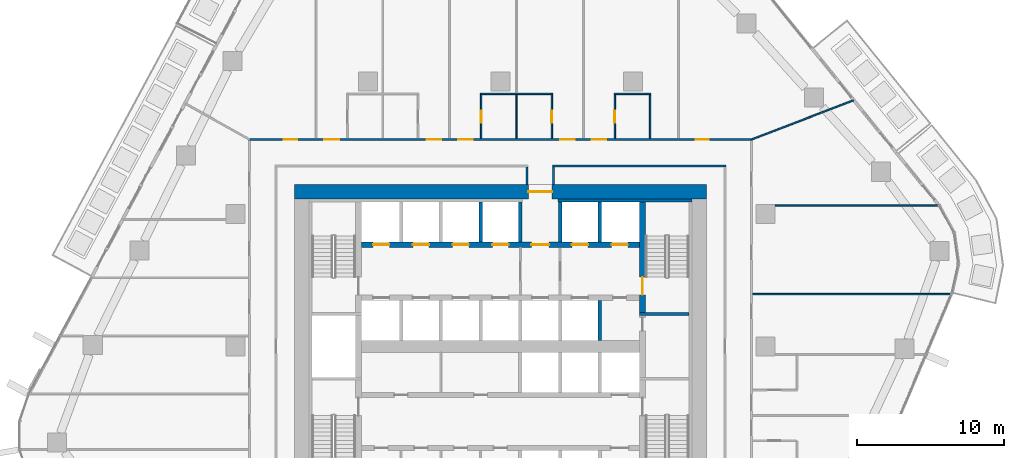
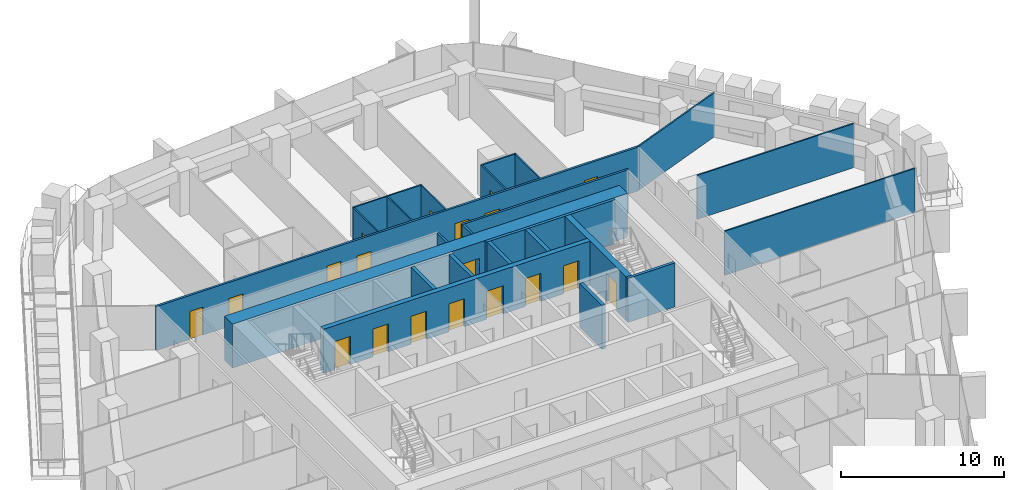
# One storey, part 16 of 24: 24 walls, 19 doors, 19 openings.
"""IFC4 building model written with IfcOpenShell, lengths in metres."""

from ifc_helpers import new_model, si_unit, direction, frame, frame_2d, origin, place, context, subcontext, project, spatial, rectangle, extrude, material, layer, layer_set, type_object, element, fill, save


model = new_model("IFC4")

# Units and contexts
model_context = context("Model", 3, precision=1e-05, world=origin(), true_north=direction((0.0, 1.0)))
body_context = subcontext(model_context, "Body", "Model", "MODEL_VIEW")
ifc_project = project(units=[si_unit("LENGTHUNIT", "METRE"), si_unit("AREAUNIT", "SQUARE_METRE"), si_unit("VOLUMEUNIT", "CUBIC_METRE"), si_unit("PLANEANGLEUNIT", "RADIAN"), si_unit("MASSUNIT", "GRAM", prefix="KILO")], contexts=[model_context])

# Site, building, storey
site_placement = place(None, origin())
site = spatial("IfcSite", under=ifc_project, at=site_placement, CompositionType="ELEMENT")
building_placement = place(site_placement, origin())
building = spatial("IfcBuilding", under=site, at=building_placement, Name="Dongbaek Canopy Tower", CompositionType="ELEMENT")
storey_placement = place(building_placement, frame((0.0, 0.0, 117.39990234375)))
storey = spatial("IfcBuildingStorey", under=building, at=storey_placement, Name="L25", CompositionType="ELEMENT", Elevation=117.39990234375)

# Wall, openings, doors
ifc_material_1 = material(Name="Concrete C60/75", Category="concrete")
ifc_layer_1 = layer(ifc_material_1, 0.35009765625)
ifc_layer_set_1 = layer_set([ifc_layer_1], Name="Core lobby wall 350 Concrete C60/75")
wall_type_1 = type_object("IfcWallType", Name="Core lobby wall 350 Concrete C60/75", PredefinedType="SHEAR", material=ifc_layer_set_1)
wall_1_placement = place(storey_placement, frame((-9.449951171875, 6.89990234375, 0.0), z_axis=(0.0, 0.0, 1.0), x_axis=(1.0, 0.0, 0.0)))
wall_1 = element("IfcWall", 1, at=wall_1_placement, inside=storey, type_object=wall_type_1, Name="Core wall", PredefinedType="SHEAR", context=body_context, shape_type="SweptSolid", body=[
    extrude(rectangle(XDim=18.89990234375, YDim=0.35009765625, at=frame_2d((9.449951171875, 0.0))), origin(), (0.0, 0.0, 1.0), 3.300048828125),
])
opening_1_placement = place(wall_1_placement, frame((0.800048828125, 0.0, 0.0)))
opening_1 = element("IfcOpeningElement", 2, at=opening_1_placement, cuts=wall_1, Name="Opening L25-D044", PredefinedType="OPENING", context=body_context, shape_type="SweptSolid", body=[
    extrude(rectangle(XDim=1.10009765625, YDim=2.10009765625, at=frame_2d((0.550048828125, 1.050048828125))), frame((0.0, 0.18505859375, 0.0), z_axis=(0.0, -1.0, 0.0), x_axis=(1.0, 0.0, 0.0)), (0.0, 0.0, 1.0), 0.3701171875),
])
opening_2_placement = place(wall_1_placement, frame((3.5, 0.0, 0.0)))
opening_2 = element("IfcOpeningElement", 3, at=opening_2_placement, cuts=wall_1, Name="Opening L25-D045", PredefinedType="OPENING", context=body_context, shape_type="SweptSolid", body=[
    extrude(rectangle(XDim=1.10009765625, YDim=2.10009765625, at=frame_2d((0.550048828125, 1.050048828125))), frame((0.0, 0.18505859375, 0.0), z_axis=(0.0, -1.0, 0.0), x_axis=(1.0, 0.0, 0.0)), (0.0, 0.0, 1.0), 0.3701171875),
])
opening_3_placement = place(wall_1_placement, frame((6.199951171875, 0.0, 0.0)))
opening_3 = element("IfcOpeningElement", 4, at=opening_3_placement, cuts=wall_1, Name="Opening L25-D046", PredefinedType="OPENING", context=body_context, shape_type="SweptSolid", body=[
    extrude(rectangle(XDim=1.10009765625, YDim=2.10009765625, at=frame_2d((0.550048828125, 1.050048828125))), frame((0.0, 0.18505859375, 0.0), z_axis=(0.0, -1.0, 0.0), x_axis=(1.0, 0.0, 0.0)), (0.0, 0.0, 1.0), 0.3701171875),
])
opening_4_placement = place(wall_1_placement, frame((8.89990234375, 0.0, 0.0)))
opening_4 = element("IfcOpeningElement", 5, at=opening_4_placement, cuts=wall_1, Name="Opening L25-D047", PredefinedType="OPENING", context=body_context, shape_type="SweptSolid", body=[
    extrude(rectangle(XDim=1.10009765625, YDim=2.10009765625, at=frame_2d((0.550048828125, 1.050048828125))), frame((0.0, 0.18505859375, 0.0), z_axis=(0.0, -1.0, 0.0), x_axis=(1.0, 0.0, 0.0)), (0.0, 0.0, 1.0), 0.3701171875),
])
opening_5_placement = place(wall_1_placement, frame((11.550048828125, 0.0, 0.0)))
opening_5 = element("IfcOpeningElement", 6, at=opening_5_placement, cuts=wall_1, Name="Opening L25-D049", PredefinedType="OPENING", context=body_context, shape_type="SweptSolid", body=[
    extrude(rectangle(XDim=1.199951171875, YDim=2.10009765625, at=frame_2d((0.60009765625, 1.050048828125))), frame((0.0, 0.18505859375, 0.0), z_axis=(0.0, -1.0, 0.0), x_axis=(1.0, 0.0, 0.0)), (0.0, 0.0, 1.0), 0.3701171875),
])
opening_6_placement = place(wall_1_placement, frame((14.300048828125, 0.0, 0.0)))
opening_6 = element("IfcOpeningElement", 7, at=opening_6_placement, cuts=wall_1, Name="Opening L25-D050", PredefinedType="OPENING", context=body_context, shape_type="SweptSolid", body=[
    extrude(rectangle(XDim=1.10009765625, YDim=2.10009765625, at=frame_2d((0.550048828125, 1.050048828125))), frame((0.0, 0.18505859375, 0.0), z_axis=(0.0, -1.0, 0.0), x_axis=(1.0, 0.0, 0.0)), (0.0, 0.0, 1.0), 0.3701171875),
])
opening_7_placement = place(wall_1_placement, frame((17.0, 0.0, 0.0)))
opening_7 = element("IfcOpeningElement", 8, at=opening_7_placement, cuts=wall_1, Name="Opening L25-D051", PredefinedType="OPENING", context=body_context, shape_type="SweptSolid", body=[
    extrude(rectangle(XDim=1.10009765625, YDim=2.10009765625, at=frame_2d((0.550048828125, 1.050048828125))), frame((0.0, 0.18505859375, 0.0), z_axis=(0.0, -1.0, 0.0), x_axis=(1.0, 0.0, 0.0)), (0.0, 0.0, 1.0), 0.3701171875),
])
ifc_material_2 = material(Name="Steel", Category="steel")
door_type_1 = type_object("IfcDoorType", Name="Fire lobby door 1200 x 2100", OperationType="SINGLE_SWING_LEFT", PredefinedType="DOOR", material=ifc_material_2)
door_1_placement = place(opening_5_placement, origin())
door_1 = element("IfcDoor", 9, at=door_1_placement, inside=storey, type_object=door_type_1, Name="Door L25-D049", OperationType="SINGLE_SWING_LEFT", OverallHeight=2.10009765625, OverallWidth=1.199951171875, PredefinedType="DOOR", context=body_context, shape_type="SweptSolid", body=[
    extrude(rectangle(XDim=1.199951171875, YDim=2.10009765625, at=frame_2d((0.60009765625, 1.050048828125))), frame((0.0, 0.02490234375, 0.0), z_axis=(0.0, -1.0, 0.0), x_axis=(1.0, 0.0, 0.0)), (0.0, 0.0, 1.0), 0.050048828125),
])
fill(opening_5, door_1)
ifc_material_3 = material(Name="Stainless steel", Category="steel")
door_type_2 = type_object("IfcDoorType", Name="Lift landing door 1100 x 2100", OperationType="DOUBLE_DOOR_SLIDING", PredefinedType="DOOR", material=ifc_material_3)
door_2_placement = place(opening_1_placement, origin())
door_2 = element("IfcDoor", 10, at=door_2_placement, inside=storey, type_object=door_type_2, Name="Landing door LR1", OperationType="DOUBLE_DOOR_SLIDING", OverallHeight=2.10009765625, OverallWidth=1.10009765625, PredefinedType="DOOR", context=body_context, shape_type="SweptSolid", body=[
    extrude(rectangle(XDim=1.10009765625, YDim=2.10009765625, at=frame_2d((0.550048828125, 1.050048828125))), frame((0.0, 0.02490234375, 0.0), z_axis=(0.0, -1.0, 0.0), x_axis=(1.0, 0.0, 0.0)), (0.0, 0.0, 1.0), 0.050048828125),
])
fill(opening_1, door_2)
door_3_placement = place(opening_2_placement, origin())
door_3 = element("IfcDoor", 11, at=door_3_placement, inside=storey, type_object=door_type_2, Name="Landing door LR2", OperationType="DOUBLE_DOOR_SLIDING", OverallHeight=2.10009765625, OverallWidth=1.10009765625, PredefinedType="DOOR", context=body_context, shape_type="SweptSolid", body=[
    extrude(rectangle(XDim=1.10009765625, YDim=2.10009765625, at=frame_2d((0.550048828125, 1.050048828125))), frame((0.0, 0.02490234375, 0.0), z_axis=(0.0, -1.0, 0.0), x_axis=(1.0, 0.0, 0.0)), (0.0, 0.0, 1.0), 0.050048828125),
])
fill(opening_2, door_3)
door_4_placement = place(opening_3_placement, origin())
door_4 = element("IfcDoor", 12, at=door_4_placement, inside=storey, type_object=door_type_2, Name="Landing door LR3", OperationType="DOUBLE_DOOR_SLIDING", OverallHeight=2.10009765625, OverallWidth=1.10009765625, PredefinedType="DOOR", context=body_context, shape_type="SweptSolid", body=[
    extrude(rectangle(XDim=1.10009765625, YDim=2.10009765625, at=frame_2d((0.550048828125, 1.050048828125))), frame((0.0, 0.02490234375, 0.0), z_axis=(0.0, -1.0, 0.0), x_axis=(1.0, 0.0, 0.0)), (0.0, 0.0, 1.0), 0.050048828125),
])
fill(opening_3, door_4)
door_5_placement = place(opening_4_placement, origin())
door_5 = element("IfcDoor", 13, at=door_5_placement, inside=storey, type_object=door_type_2, Name="Landing door LR4", OperationType="DOUBLE_DOOR_SLIDING", OverallHeight=2.10009765625, OverallWidth=1.10009765625, PredefinedType="DOOR", context=body_context, shape_type="SweptSolid", body=[
    extrude(rectangle(XDim=1.10009765625, YDim=2.10009765625, at=frame_2d((0.550048828125, 1.050048828125))), frame((0.0, 0.02490234375, 0.0), z_axis=(0.0, -1.0, 0.0), x_axis=(1.0, 0.0, 0.0)), (0.0, 0.0, 1.0), 0.050048828125),
])
fill(opening_4, door_5)
door_6_placement = place(opening_6_placement, origin())
door_6 = element("IfcDoor", 14, at=door_6_placement, inside=storey, type_object=door_type_2, Name="Landing door FF1", OperationType="DOUBLE_DOOR_SLIDING", OverallHeight=2.10009765625, OverallWidth=1.10009765625, PredefinedType="DOOR", context=body_context, shape_type="SweptSolid", body=[
    extrude(rectangle(XDim=1.10009765625, YDim=2.10009765625, at=frame_2d((0.550048828125, 1.050048828125))), frame((0.0, 0.02490234375, 0.0), z_axis=(0.0, -1.0, 0.0), x_axis=(1.0, 0.0, 0.0)), (0.0, 0.0, 1.0), 0.050048828125),
])
fill(opening_6, door_6)
door_7_placement = place(opening_7_placement, origin())
door_7 = element("IfcDoor", 15, at=door_7_placement, inside=storey, type_object=door_type_2, Name="Landing door FF2", OperationType="DOUBLE_DOOR_SLIDING", OverallHeight=2.10009765625, OverallWidth=1.10009765625, PredefinedType="DOOR", context=body_context, shape_type="SweptSolid", body=[
    extrude(rectangle(XDim=1.10009765625, YDim=2.10009765625, at=frame_2d((0.550048828125, 1.050048828125))), frame((0.0, 0.02490234375, 0.0), z_axis=(0.0, -1.0, 0.0), x_axis=(1.0, 0.0, 0.0)), (0.0, 0.0, 1.0), 0.050048828125),
])
fill(opening_7, door_7)

# Wall, opening, door
ifc_material_4 = material(Name="Concrete C60/75", Category="concrete")
ifc_layer_2 = layer(ifc_material_4, 1.0)
ifc_layer_set_2 = layer_set([ifc_layer_2], Name="Core outer wall 1000 Concrete C60/75")
wall_type_2 = type_object("IfcWallType", Name="Core outer wall 1000 Concrete C60/75", PredefinedType="SHEAR", material=ifc_layer_set_2)
wall_2_placement = place(storey_placement, frame((-14.0, 10.5, 0.0), z_axis=(0.0, 0.0, 1.0), x_axis=(1.0, 0.0, 0.0)))
wall_2 = element("IfcWall", 16, at=wall_2_placement, inside=storey, type_object=wall_type_2, Name="Core wall", PredefinedType="SHEAR", context=body_context, shape_type="SweptSolid", body=[
    extrude(rectangle(XDim=28.0, YDim=1.0, at=frame_2d((14.0, 0.0))), origin(), (0.0, 0.0, 1.0), 3.300048828125),
])
opening_8_placement = place(wall_2_placement, frame((15.89990234375, 0.0, 0.0)))
opening_8 = element("IfcOpeningElement", 17, at=opening_8_placement, cuts=wall_2, Name="Opening L25-D048", PredefinedType="OPENING", context=body_context, shape_type="SweptSolid", body=[
    extrude(rectangle(XDim=1.60009765625, YDim=2.10009765625, at=frame_2d((0.800048828125, 1.050048828125))), frame((0.0, 0.510009765625, 0.0), z_axis=(0.0, -1.0, 0.0), x_axis=(1.0, 0.0, 0.0)), (0.0, 0.0, 1.0), 1.02001953125),
])
ifc_material_5 = material(Name="Steel", Category="steel")
door_type_3 = type_object("IfcDoorType", Name="Core exit door 1600 x 2100", OperationType="DOUBLE_DOOR_SINGLE_SWING", PredefinedType="DOOR", material=ifc_material_5)
door_8_placement = place(opening_8_placement, origin())
door_8 = element("IfcDoor", 18, at=door_8_placement, inside=storey, type_object=door_type_3, Name="Core exit door", OperationType="DOUBLE_DOOR_SINGLE_SWING", OverallHeight=2.10009765625, OverallWidth=1.60009765625, PredefinedType="DOOR", context=body_context, shape_type="SweptSolid", body=[
    extrude(rectangle(XDim=1.60009765625, YDim=2.10009765625, at=frame_2d((0.800048828125, 1.050048828125))), frame((0.0, 0.02490234375, 0.0), z_axis=(0.0, -1.0, 0.0), x_axis=(1.0, 0.0, 0.0)), (0.0, 0.0, 1.0), 0.050048828125),
])
fill(opening_8, door_8)

# Walls
ifc_material_6 = material(Name="Concrete C60/75", Category="concrete")
ifc_layer_3 = layer(ifc_material_6, 0.199951171875)
ifc_layer_set_3 = layer_set([ifc_layer_3], Name="Core wall lining 200 Concrete C60/75")
wall_type_3 = type_object("IfcWallType", Name="Core wall lining 200 Concrete C60/75", PredefinedType="SHEAR", material=ifc_layer_set_3)
wall_3_placement = place(storey_placement, frame((3.89990234375, 9.89990234375, 0.0), z_axis=(0.0, 0.0, 1.0), x_axis=(1.0, 0.0, 0.0)))
element("IfcWall", 19, at=wall_3_placement, inside=storey, type_object=wall_type_3, Name="Core wall lining", PredefinedType="SHEAR", context=body_context, shape_type="SweptSolid", body=[
    extrude(rectangle(XDim=9.10009765625, YDim=0.199951171875, at=frame_2d((4.550048828125, 0.0))), origin(), (0.0, 0.0, 1.0), 3.300048828125),
])
ifc_material_7 = material(Name="Gypsum board partition, steel stud, 2 x 15 mm fire board", Category="steel")
ifc_layer_4 = layer(ifc_material_7, 0.14990234375)
ifc_layer_set_4 = layer_set([ifc_layer_4], Name="Fire-rated partition 150 gypsum board")
wall_type_4 = type_object("IfcWallType", Name="Fire-rated partition 150 gypsum board", PredefinedType="PARTITIONING", material=ifc_layer_set_4)
wall_4_placement = place(storey_placement, frame((3.52490234375, 12.25, 0.0), z_axis=(0.0, 0.0, 1.0), x_axis=(1.0, 0.0, 0.0)))
element("IfcWall", 20, at=wall_4_placement, inside=storey, type_object=wall_type_4, Name="Corridor partition", PredefinedType="PARTITIONING", context=body_context, shape_type="SweptSolid", body=[
    extrude(rectangle(XDim=11.800048828125, YDim=0.14990234375, at=frame_2d((5.89990234375, 0.0))), origin(), (0.0, 0.0, 1.0), 3.300048828125),
])

# Wall, openings, doors
wall_5_placement = place(storey_placement, frame((-17.125, 14.050048828125, 0.0), z_axis=(0.0, 0.0, 1.0), x_axis=(1.0, 0.0, 0.0)))
wall_5 = element("IfcWall", 21, at=wall_5_placement, inside=storey, type_object=wall_type_4, Name="Corridor partition", PredefinedType="PARTITIONING", context=body_context, shape_type="SweptSolid", body=[
    extrude(rectangle(XDim=34.25, YDim=0.14990234375, at=frame_2d((17.125, 0.0))), origin(), (0.0, 0.0, 1.0), 3.300048828125),
])
opening_9_placement = place(wall_5_placement, frame((30.376708984375, 0.0, 0.0)))
opening_9 = element("IfcOpeningElement", 22, at=opening_9_placement, cuts=wall_5, Name="Opening L25-D026", PredefinedType="OPENING", context=body_context, shape_type="SweptSolid", body=[
    extrude(rectangle(XDim=0.89990234375, YDim=2.10009765625, at=frame_2d((0.449951171875, 1.050048828125))), frame((0.0, 0.0849609375, 0.0), z_axis=(0.0, -1.0, 0.0), x_axis=(1.0, 0.0, 0.0)), (0.0, 0.0, 1.0), 0.169921875),
])
opening_10_placement = place(wall_5_placement, frame((23.320556640625, 0.0, 0.0)))
opening_10 = element("IfcOpeningElement", 23, at=opening_10_placement, cuts=wall_5, Name="Opening L25-D028", PredefinedType="OPENING", context=body_context, shape_type="SweptSolid", body=[
    extrude(rectangle(XDim=1.0, YDim=2.10009765625, at=frame_2d((0.5, 1.050048828125))), frame((0.0, 0.0849609375, 0.0), z_axis=(0.0, -1.0, 0.0), x_axis=(1.0, 0.0, 0.0)), (0.0, 0.0, 1.0), 0.169921875),
])
opening_11_placement = place(wall_5_placement, frame((21.182861328125, 0.0, 0.0)))
opening_11 = element("IfcOpeningElement", 24, at=opening_11_placement, cuts=wall_5, Name="Opening L25-D030", PredefinedType="OPENING", context=body_context, shape_type="SweptSolid", body=[
    extrude(rectangle(XDim=1.0, YDim=2.10009765625, at=frame_2d((0.5, 1.050048828125))), frame((0.0, 0.0849609375, 0.0), z_axis=(0.0, -1.0, 0.0), x_axis=(1.0, 0.0, 0.0)), (0.0, 0.0, 1.0), 0.169921875),
])
opening_12_placement = place(wall_5_placement, frame((14.240966796875, 0.0, 0.0)))
opening_12 = element("IfcOpeningElement", 25, at=opening_12_placement, cuts=wall_5, Name="Opening L25-D032", PredefinedType="OPENING", context=body_context, shape_type="SweptSolid", body=[
    extrude(rectangle(XDim=1.0, YDim=2.10009765625, at=frame_2d((0.5, 1.050048828125))), frame((0.0, 0.0849609375, 0.0), z_axis=(0.0, -1.0, 0.0), x_axis=(1.0, 0.0, 0.0)), (0.0, 0.0, 1.0), 0.169921875),
])
opening_13_placement = place(wall_5_placement, frame((12.09912109375, 0.0, 0.0)))
opening_13 = element("IfcOpeningElement", 26, at=opening_13_placement, cuts=wall_5, Name="Opening L25-D034", PredefinedType="OPENING", context=body_context, shape_type="SweptSolid", body=[
    extrude(rectangle(XDim=1.0, YDim=2.10009765625, at=frame_2d((0.5, 1.050048828125))), frame((0.0, 0.0849609375, 0.0), z_axis=(0.0, -1.0, 0.0), x_axis=(1.0, 0.0, 0.0)), (0.0, 0.0, 1.0), 0.169921875),
])
opening_14_placement = place(wall_5_placement, frame((5.161376953125, 0.0, 0.0)))
opening_14 = element("IfcOpeningElement", 27, at=opening_14_placement, cuts=wall_5, Name="Opening L25-D036", PredefinedType="OPENING", context=body_context, shape_type="SweptSolid", body=[
    extrude(rectangle(XDim=1.0, YDim=2.10009765625, at=frame_2d((0.5, 1.050048828125))), frame((0.0, 0.0849609375, 0.0), z_axis=(0.0, -1.0, 0.0), x_axis=(1.0, 0.0, 0.0)), (0.0, 0.0, 1.0), 0.169921875),
])
opening_15_placement = place(wall_5_placement, frame((2.406494140625, 0.0, 0.0)))
opening_15 = element("IfcOpeningElement", 28, at=opening_15_placement, cuts=wall_5, Name="Opening L25-D037", PredefinedType="OPENING", context=body_context, shape_type="SweptSolid", body=[
    extrude(rectangle(XDim=0.89990234375, YDim=2.10009765625, at=frame_2d((0.449951171875, 1.050048828125))), frame((0.0, 0.0849609375, 0.0), z_axis=(0.0, -1.0, 0.0), x_axis=(1.0, 0.0, 0.0)), (0.0, 0.0, 1.0), 0.169921875),
])
ifc_material_8 = material(Name="Timber veneered door leaf", Category="wood")
door_type_4 = type_object("IfcDoorType", Name="Guest room door 1000 x 2100", OperationType="SINGLE_SWING_LEFT", PredefinedType="DOOR", material=ifc_material_8)
door_9_placement = place(opening_10_placement, origin())
door_9 = element("IfcDoor", 29, at=door_9_placement, inside=storey, type_object=door_type_4, Name="Door L25-D028", OperationType="SINGLE_SWING_RIGHT", OverallHeight=2.10009765625, OverallWidth=1.0, PredefinedType="DOOR", context=body_context, shape_type="SweptSolid", body=[
    extrude(rectangle(XDim=1.0, YDim=2.10009765625, at=frame_2d((0.5, 1.050048828125))), frame((0.0, 0.02490234375, 0.0), z_axis=(0.0, -1.0, 0.0), x_axis=(1.0, 0.0, 0.0)), (0.0, 0.0, 1.0), 0.050048828125),
])
fill(opening_10, door_9)
door_10_placement = place(opening_11_placement, origin())
door_10 = element("IfcDoor", 30, at=door_10_placement, inside=storey, type_object=door_type_4, Name="Door L25-D030", OperationType="SINGLE_SWING_LEFT", OverallHeight=2.10009765625, OverallWidth=1.0, PredefinedType="DOOR", context=body_context, shape_type="SweptSolid", body=[
    extrude(rectangle(XDim=1.0, YDim=2.10009765625, at=frame_2d((0.5, 1.050048828125))), frame((0.0, 0.02490234375, 0.0), z_axis=(0.0, -1.0, 0.0), x_axis=(1.0, 0.0, 0.0)), (0.0, 0.0, 1.0), 0.050048828125),
])
fill(opening_11, door_10)
door_11_placement = place(opening_12_placement, origin())
door_11 = element("IfcDoor", 31, at=door_11_placement, inside=storey, type_object=door_type_4, Name="Door L25-D032", OperationType="SINGLE_SWING_RIGHT", OverallHeight=2.10009765625, OverallWidth=1.0, PredefinedType="DOOR", context=body_context, shape_type="SweptSolid", body=[
    extrude(rectangle(XDim=1.0, YDim=2.10009765625, at=frame_2d((0.5, 1.050048828125))), frame((0.0, 0.02490234375, 0.0), z_axis=(0.0, -1.0, 0.0), x_axis=(1.0, 0.0, 0.0)), (0.0, 0.0, 1.0), 0.050048828125),
])
fill(opening_12, door_11)
door_12_placement = place(opening_13_placement, origin())
door_12 = element("IfcDoor", 32, at=door_12_placement, inside=storey, type_object=door_type_4, Name="Door L25-D034", OperationType="SINGLE_SWING_LEFT", OverallHeight=2.10009765625, OverallWidth=1.0, PredefinedType="DOOR", context=body_context, shape_type="SweptSolid", body=[
    extrude(rectangle(XDim=1.0, YDim=2.10009765625, at=frame_2d((0.5, 1.050048828125))), frame((0.0, 0.02490234375, 0.0), z_axis=(0.0, -1.0, 0.0), x_axis=(1.0, 0.0, 0.0)), (0.0, 0.0, 1.0), 0.050048828125),
])
fill(opening_13, door_12)
door_13_placement = place(opening_14_placement, origin())
door_13 = element("IfcDoor", 33, at=door_13_placement, inside=storey, type_object=door_type_4, Name="Door L25-D036", OperationType="SINGLE_SWING_RIGHT", OverallHeight=2.10009765625, OverallWidth=1.0, PredefinedType="DOOR", context=body_context, shape_type="SweptSolid", body=[
    extrude(rectangle(XDim=1.0, YDim=2.10009765625, at=frame_2d((0.5, 1.050048828125))), frame((0.0, 0.02490234375, 0.0), z_axis=(0.0, -1.0, 0.0), x_axis=(1.0, 0.0, 0.0)), (0.0, 0.0, 1.0), 0.050048828125),
])
fill(opening_14, door_13)
ifc_material_9 = material(Name="Timber veneered door leaf", Category="wood")
door_type_5 = type_object("IfcDoorType", Name="Room door 900 x 2100", OperationType="SINGLE_SWING_LEFT", PredefinedType="DOOR", material=ifc_material_9)
door_14_placement = place(opening_9_placement, origin())
door_14 = element("IfcDoor", 34, at=door_14_placement, inside=storey, type_object=door_type_5, Name="Door L25-D026", OperationType="SINGLE_SWING_LEFT", OverallHeight=2.10009765625, OverallWidth=0.89990234375, PredefinedType="DOOR", context=body_context, shape_type="SweptSolid", body=[
    extrude(rectangle(XDim=0.89990234375, YDim=2.10009765625, at=frame_2d((0.449951171875, 1.050048828125))), frame((0.0, 0.02490234375, 0.0), z_axis=(0.0, -1.0, 0.0), x_axis=(1.0, 0.0, 0.0)), (0.0, 0.0, 1.0), 0.050048828125),
])
fill(opening_9, door_14)
door_15_placement = place(opening_15_placement, origin())
door_15 = element("IfcDoor", 35, at=door_15_placement, inside=storey, type_object=door_type_5, Name="Door L25-D037", OperationType="SINGLE_SWING_LEFT", OverallHeight=2.10009765625, OverallWidth=0.89990234375, PredefinedType="DOOR", context=body_context, shape_type="SweptSolid", body=[
    extrude(rectangle(XDim=0.89990234375, YDim=2.10009765625, at=frame_2d((0.449951171875, 1.050048828125))), frame((0.0, 0.02490234375, 0.0), z_axis=(0.0, -1.0, 0.0), x_axis=(1.0, 0.0, 0.0)), (0.0, 0.0, 1.0), 0.050048828125),
])
fill(opening_15, door_15)

# Walls
for number, where, z_axis, x_axis, name in (
    (36, (3.60009765625, 11.0, 0.0), (0.0, 0.0, 1.0), (0.0, 1.0, 0.0), "Corridor partition"),
    (37, (1.800048828125, 11.0, 0.0), (0.0, 0.0, 1.0), (0.0, 1.0, 0.0), "Corridor partition"),
):
    element("IfcWall", number, at=place(storey_placement, frame(where, z_axis=z_axis, x_axis=x_axis)), inside=storey, type_object=wall_type_4, Name=name, PredefinedType="PARTITIONING", context=body_context, shape_type="SweptSolid", body=[
        extrude(rectangle(XDim=1.175048828125, YDim=0.14990234375, at=frame_2d((0.58740234375, 0.0))), origin(), (0.0, 0.0, 1.0), 3.300048828125),
    ])
ifc_material_10 = material(Name="Concrete C40/50", Category="concrete")
ifc_layer_5 = layer(ifc_material_10, 0.25)
ifc_layer_set_5 = layer_set([ifc_layer_5], Name="Lift shaft wall 250 Concrete C40/50")
wall_type_5 = type_object("IfcWallType", Name="Lift shaft wall 250 Concrete C40/50", PredefinedType="SOLIDWALL", material=ifc_layer_set_5)
for number, where, z_axis, x_axis, name in (
    (38, (6.75, 0.39990234375, 0.0), (0.0, 0.0, 1.0), (0.0, 1.0, 0.0), "Lift shaft wall"),
    (39, (6.75, 7.074951171875, 0.0), (0.0, 0.0, 1.0), (0.0, 1.0, 0.0), "Lift shaft wall"),
    (40, (4.050048828125, 7.074951171875, 0.0), (0.0, 0.0, 1.0), (0.0, 1.0, 0.0), "Lift shaft wall"),
    (41, (1.35009765625, 7.074951171875, 0.0), (0.0, 0.0, 1.0), (0.0, 1.0, 0.0), "Lift shaft wall"),
    (42, (-1.35009765625, 7.074951171875, 0.0), (0.0, 0.0, 1.0), (0.0, 1.0, 0.0), "Lift shaft wall"),
):
    element("IfcWall", number, at=place(storey_placement, frame(where, z_axis=z_axis, x_axis=x_axis)), inside=storey, type_object=wall_type_5, Name=name, PredefinedType="SOLIDWALL", context=body_context, shape_type="SweptSolid", body=[
        extrude(rectangle(XDim=2.72509765625, YDim=0.25, at=frame_2d((1.362548828125, 0.0))), origin(), (0.0, 0.0, 1.0), 3.300048828125),
    ])
ifc_material_11 = material(Name="Gypsum board partition, steel stud, 2 x 12.5 mm board", Category="steel")
ifc_layer_6 = layer(ifc_material_11, 0.10009765625)
ifc_layer_set_6 = layer_set([ifc_layer_6], Name="Partition 100 gypsum board")
wall_type_6 = type_object("IfcWallType", Name="Partition 100 gypsum board", PredefinedType="PARTITIONING", material=ifc_layer_set_6)
wall_6_placement = place(storey_placement, frame((17.125, 3.544921875, 0.0), z_axis=(0.0, 0.0, 1.0), x_axis=(1.0, 0.0, 0.0)))
element("IfcWall", 43, at=wall_6_placement, inside=storey, type_object=wall_type_6, Name="Partition", PredefinedType="PARTITIONING", context=body_context, shape_type="SweptSolid", body=[
    extrude(rectangle(XDim=13.48681640625, YDim=0.10009765625, at=frame_2d((6.743408203125, 0.0))), origin(), (0.0, 0.0, 1.0), 3.300048828125),
])
wall_7_placement = place(storey_placement, frame((18.64990234375, 9.572021484375, 0.0), z_axis=(0.0, 0.0, 1.0), x_axis=(1.0, 0.0, 0.0)))
element("IfcWall", 44, at=wall_7_placement, inside=storey, type_object=wall_type_6, Name="Partition", PredefinedType="PARTITIONING", context=body_context, shape_type="SweptSolid", body=[
    extrude(rectangle(XDim=11.107421875, YDim=0.10009765625, at=frame_2d((5.5537109375, 0.0))), origin(), (0.0, 0.0, 1.0), 3.300048828125),
])
wall_8_placement = place(storey_placement, frame((-1.363037109375, 17.14990234375, 0.0), z_axis=(0.0, 0.0, 1.0), x_axis=(1.0, 0.0, 0.0)))
element("IfcWall", 45, at=wall_8_placement, inside=storey, type_object=wall_type_6, Name="Partition", PredefinedType="PARTITIONING", context=body_context, shape_type="SweptSolid", body=[
    extrude(rectangle(XDim=4.89990234375, YDim=0.10009765625, at=frame_2d((2.449951171875, 0.0))), origin(), (0.0, 0.0, 1.0), 3.300048828125),
])
wall_9_placement = place(storey_placement, frame((7.71240234375, 17.14990234375, 0.0), z_axis=(0.0, 0.0, 1.0), x_axis=(1.0, 0.0, 0.0)))
element("IfcWall", 46, at=wall_9_placement, inside=storey, type_object=wall_type_6, Name="Partition", PredefinedType="PARTITIONING", context=body_context, shape_type="SweptSolid", body=[
    extrude(rectangle(XDim=2.5, YDim=0.10009765625, at=frame_2d((1.25, 0.0))), origin(), (0.0, 0.0, 1.0), 3.300048828125),
])
wall_10_placement = place(storey_placement, frame((17.050048828125, 14.0498046875, 0.0), z_axis=(0.0, 0.0, 1.0), x_axis=(0.933461735893, 0.358676996228, 0.0)))
element("IfcWall", 47, at=wall_10_placement, inside=storey, type_object=wall_type_6, Name="Partition", PredefinedType="PARTITIONING", context=body_context, shape_type="SweptSolid", body=[
    extrude(rectangle(XDim=7.419921875, YDim=0.10009765625, at=frame_2d((3.7099609375, 0.0))), origin(), (0.0, 0.0, 1.0), 3.300048828125),
])
wall_11_placement = place(storey_placement, frame((10.162109375, 14.125, 0.0), z_axis=(0.0, 0.0, 1.0), x_axis=(0.0, 1.0, 0.0)))
element("IfcWall", 48, at=wall_11_placement, inside=storey, type_object=wall_type_6, Name="Partition", PredefinedType="PARTITIONING", context=body_context, shape_type="SweptSolid", body=[
    extrude(rectangle(XDim=2.97509765625, YDim=0.10009765625, at=frame_2d((1.487548828125, 0.0))), origin(), (0.0, 0.0, 1.0), 3.300048828125),
])

# Wall, opening, door
wall_12_placement = place(storey_placement, frame((7.761962890625, 17.14990234375, 0.0), z_axis=(0.0, 0.0, 1.0), x_axis=(0.0, -1.0, 0.0)))
wall_12 = element("IfcWall", 49, at=wall_12_placement, inside=storey, type_object=wall_type_6, Name="Partition", PredefinedType="PARTITIONING", context=body_context, shape_type="SweptSolid", body=[
    extrude(rectangle(XDim=3.02490234375, YDim=0.10009765625, at=frame_2d((1.512451171875, 0.0))), origin(), (0.0, 0.0, 1.0), 3.300048828125),
])
opening_16_placement = place(wall_12_placement, frame((1.14990234375, 0.0, 0.0)))
opening_16 = element("IfcOpeningElement", 50, at=opening_16_placement, cuts=wall_12, Name="Opening L25-D027", PredefinedType="OPENING", context=body_context, shape_type="SweptSolid", body=[
    extrude(rectangle(XDim=0.800048828125, YDim=2.10009765625, at=frame_2d((0.39990234375, 1.050048828125))), frame((0.0, 0.06005859375, 0.0), z_axis=(0.0, -1.0, 0.0), x_axis=(1.0, 0.0, 0.0)), (0.0, 0.0, 1.0), 0.1201171875),
])
ifc_material_12 = material(Name="Timber veneered door leaf", Category="wood")
door_type_6 = type_object("IfcDoorType", Name="En-suite door 800 x 2100", OperationType="SINGLE_SWING_LEFT", PredefinedType="DOOR", material=ifc_material_12)
door_16_placement = place(opening_16_placement, origin())
door_16 = element("IfcDoor", 51, at=door_16_placement, inside=storey, type_object=door_type_6, Name="Door L25-D027", OperationType="SINGLE_SWING_LEFT", OverallHeight=2.10009765625, OverallWidth=0.800048828125, PredefinedType="DOOR", context=body_context, shape_type="SweptSolid", body=[
    extrude(rectangle(XDim=0.800048828125, YDim=2.10009765625, at=frame_2d((0.39990234375, 1.050048828125))), frame((0.0, 0.02490234375, 0.0), z_axis=(0.0, -1.0, 0.0), x_axis=(1.0, 0.0, 0.0)), (0.0, 0.0, 1.0), 0.050048828125),
])
fill(opening_16, door_16)

wall_13_placement = place(storey_placement, frame((3.487060546875, 14.125, 0.0), z_axis=(0.0, 0.0, 1.0), x_axis=(0.0, 1.0, 0.0)))
wall_13 = element("IfcWall", 52, at=wall_13_placement, inside=storey, type_object=wall_type_6, Name="Partition", PredefinedType="PARTITIONING", context=body_context, shape_type="SweptSolid", body=[
    extrude(rectangle(XDim=3.02490234375, YDim=0.10009765625, at=frame_2d((1.512451171875, 0.0))), origin(), (0.0, 0.0, 1.0), 3.300048828125),
])
opening_17_placement = place(wall_13_placement, frame((1.074951171875, 0.0, 0.0)))
opening_17 = element("IfcOpeningElement", 53, at=opening_17_placement, cuts=wall_13, Name="Opening L25-D029", PredefinedType="OPENING", context=body_context, shape_type="SweptSolid", body=[
    extrude(rectangle(XDim=0.800048828125, YDim=2.10009765625, at=frame_2d((0.39990234375, 1.050048828125))), frame((0.0, 0.06005859375, 0.0), z_axis=(0.0, -1.0, 0.0), x_axis=(1.0, 0.0, 0.0)), (0.0, 0.0, 1.0), 0.1201171875),
])
door_17_placement = place(opening_17_placement, origin())
door_17 = element("IfcDoor", 54, at=door_17_placement, inside=storey, type_object=door_type_6, Name="Door L25-D029", OperationType="SINGLE_SWING_RIGHT", OverallHeight=2.10009765625, OverallWidth=0.800048828125, PredefinedType="DOOR", context=body_context, shape_type="SweptSolid", body=[
    extrude(rectangle(XDim=0.800048828125, YDim=2.10009765625, at=frame_2d((0.39990234375, 1.050048828125))), frame((0.0, 0.02490234375, 0.0), z_axis=(0.0, -1.0, 0.0), x_axis=(1.0, 0.0, 0.0)), (0.0, 0.0, 1.0), 0.050048828125),
])
fill(opening_17, door_17)

# Wall
wall_14_placement = place(storey_placement, frame((1.0869140625, 14.125, 0.0), z_axis=(0.0, 0.0, 1.0), x_axis=(0.0, 1.0, 0.0)))
element("IfcWall", 55, at=wall_14_placement, inside=storey, type_object=wall_type_6, Name="Partition", PredefinedType="PARTITIONING", context=body_context, shape_type="SweptSolid", body=[
    extrude(rectangle(XDim=2.97509765625, YDim=0.10009765625, at=frame_2d((1.487548828125, 0.0))), origin(), (0.0, 0.0, 1.0), 3.300048828125),
])

# Wall, opening, door
wall_15_placement = place(storey_placement, frame((-1.31298828125, 17.10009765625, 0.0), z_axis=(0.0, 0.0, 1.0), x_axis=(0.0, -1.0, 0.0)))
wall_15 = element("IfcWall", 56, at=wall_15_placement, inside=storey, type_object=wall_type_6, Name="Partition", PredefinedType="PARTITIONING", context=body_context, shape_type="SweptSolid", body=[
    extrude(rectangle(XDim=2.97509765625, YDim=0.10009765625, at=frame_2d((1.487548828125, 0.0))), origin(), (0.0, 0.0, 1.0), 3.300048828125),
])
opening_18_placement = place(wall_15_placement, frame((1.10009765625, 0.0, 0.0)))
opening_18 = element("IfcOpeningElement", 57, at=opening_18_placement, cuts=wall_15, Name="Opening L25-D031", PredefinedType="OPENING", context=body_context, shape_type="SweptSolid", body=[
    extrude(rectangle(XDim=0.800048828125, YDim=2.10009765625, at=frame_2d((0.39990234375, 1.050048828125))), frame((0.0, 0.06005859375, 0.0), z_axis=(0.0, -1.0, 0.0), x_axis=(1.0, 0.0, 0.0)), (0.0, 0.0, 1.0), 0.1201171875),
])
door_18_placement = place(opening_18_placement, origin())
door_18 = element("IfcDoor", 58, at=door_18_placement, inside=storey, type_object=door_type_6, Name="Door L25-D031", OperationType="SINGLE_SWING_LEFT", OverallHeight=2.10009765625, OverallWidth=0.800048828125, PredefinedType="DOOR", context=body_context, shape_type="SweptSolid", body=[
    extrude(rectangle(XDim=0.800048828125, YDim=2.10009765625, at=frame_2d((0.39990234375, 1.050048828125))), frame((0.0, 0.02490234375, 0.0), z_axis=(0.0, -1.0, 0.0), x_axis=(1.0, 0.0, 0.0)), (0.0, 0.0, 1.0), 0.050048828125),
])
fill(opening_18, door_18)

# Wall
ifc_material_13 = material(Name="Concrete C60/75", Category="concrete")
ifc_layer_7 = layer(ifc_material_13, 0.199951171875)
ifc_layer_set_7 = layer_set([ifc_layer_7], Name="Riser wall 200 Concrete C60/75")
wall_type_7 = type_object("IfcWallType", Name="Riser wall 200 Concrete C60/75", PredefinedType="SHEAR", material=ifc_layer_set_7)
wall_16_placement = place(storey_placement, frame((9.449951171875, 2.199951171875, 0.0), z_axis=(0.0, 0.0, 1.0), x_axis=(1.0, 0.0, 0.0)))
element("IfcWall", 59, at=wall_16_placement, inside=storey, type_object=wall_type_7, Name="Riser wall", PredefinedType="SHEAR", context=body_context, shape_type="SweptSolid", body=[
    extrude(rectangle(XDim=3.35009765625, YDim=0.199951171875, at=frame_2d((1.675048828125, 0.0))), origin(), (0.0, 0.0, 1.0), 3.300048828125),
])

# Wall, opening, door
ifc_material_14 = material(Name="Concrete C60/75", Category="concrete")
ifc_layer_8 = layer(ifc_material_14, 0.39990234375)
ifc_layer_set_8 = layer_set([ifc_layer_8], Name="Stair wall 400 Concrete C60/75")
wall_type_8 = type_object("IfcWallType", Name="Stair wall 400 Concrete C60/75", PredefinedType="SHEAR", material=ifc_layer_set_8)
wall_17_placement = place(storey_placement, frame((9.64990234375, 9.800048828125, 0.0), z_axis=(0.0, 0.0, 1.0), x_axis=(0.0, -1.0, 0.0)))
wall_17 = element("IfcWall", 60, at=wall_17_placement, inside=storey, type_object=wall_type_8, Name="Stair wall", PredefinedType="SHEAR", context=body_context, shape_type="SweptSolid", body=[
    extrude(rectangle(XDim=7.5, YDim=0.39990234375, at=frame_2d((3.75, 0.0))), origin(), (0.0, 0.0, 1.0), 3.300048828125),
])
opening_19_placement = place(wall_17_placement, frame((5.10009765625, 0.0, 0.0)))
opening_19 = element("IfcOpeningElement", 61, at=opening_19_placement, cuts=wall_17, Name="Opening L25-D068", PredefinedType="OPENING", context=body_context, shape_type="SweptSolid", body=[
    extrude(rectangle(XDim=1.199951171875, YDim=2.10009765625, at=frame_2d((0.60009765625, 1.050048828125))), frame((0.0, 0.2099609375, 0.0), z_axis=(0.0, -1.0, 0.0), x_axis=(1.0, 0.0, 0.0)), (0.0, 0.0, 1.0), 0.419921875),
])
ifc_material_15 = material(Name="Steel", Category="steel")
door_type_7 = type_object("IfcDoorType", Name="Stair door 1200 x 2100", OperationType="SINGLE_SWING_LEFT", PredefinedType="DOOR", material=ifc_material_15)
door_19_placement = place(opening_19_placement, origin())
door_19 = element("IfcDoor", 62, at=door_19_placement, inside=storey, type_object=door_type_7, Name="Stair A door", OperationType="SINGLE_SWING_LEFT", OverallHeight=2.10009765625, OverallWidth=1.199951171875, PredefinedType="DOOR", context=body_context, shape_type="SweptSolid", body=[
    extrude(rectangle(XDim=1.199951171875, YDim=2.10009765625, at=frame_2d((0.60009765625, 1.050048828125))), frame((0.0, 0.02490234375, 0.0), z_axis=(0.0, -1.0, 0.0), x_axis=(1.0, 0.0, 0.0)), (0.0, 0.0, 1.0), 0.050048828125),
])
fill(opening_19, door_19)

save(model, "model.ifc")
